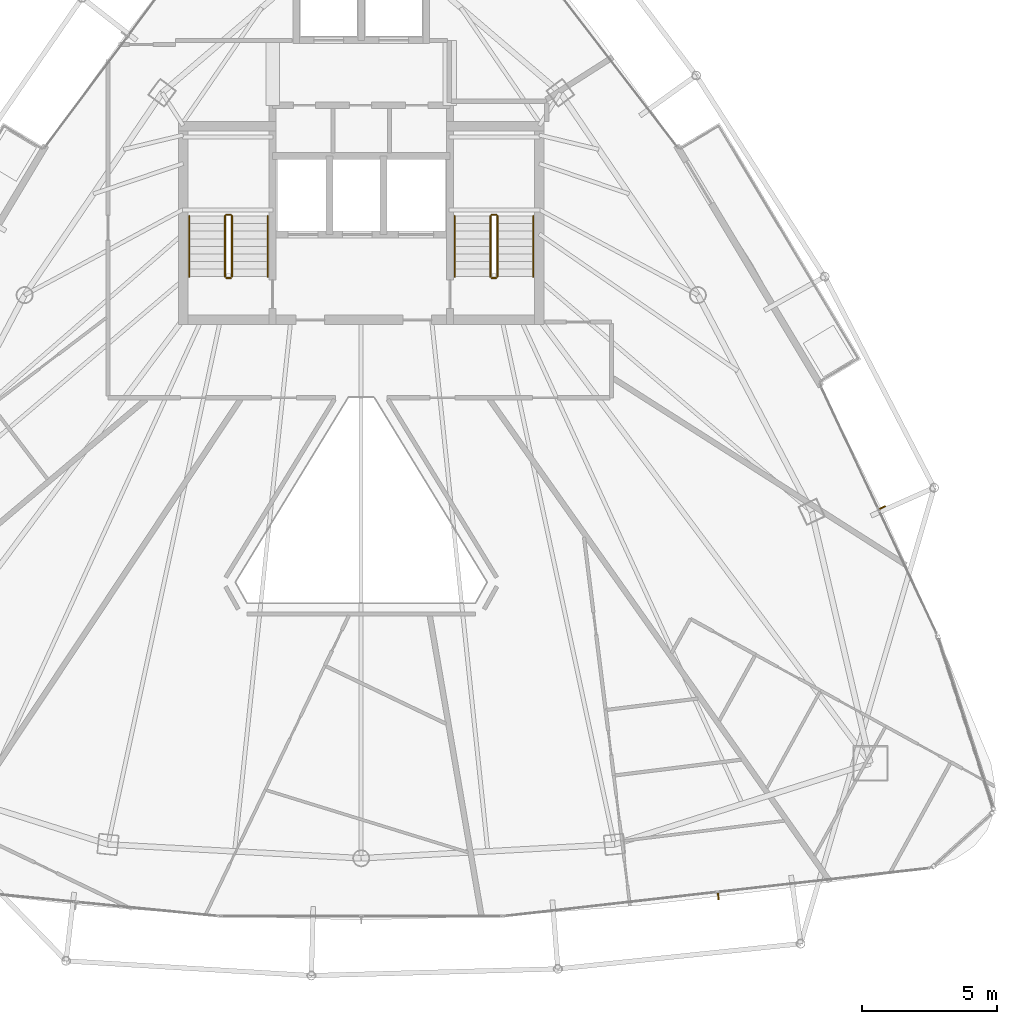
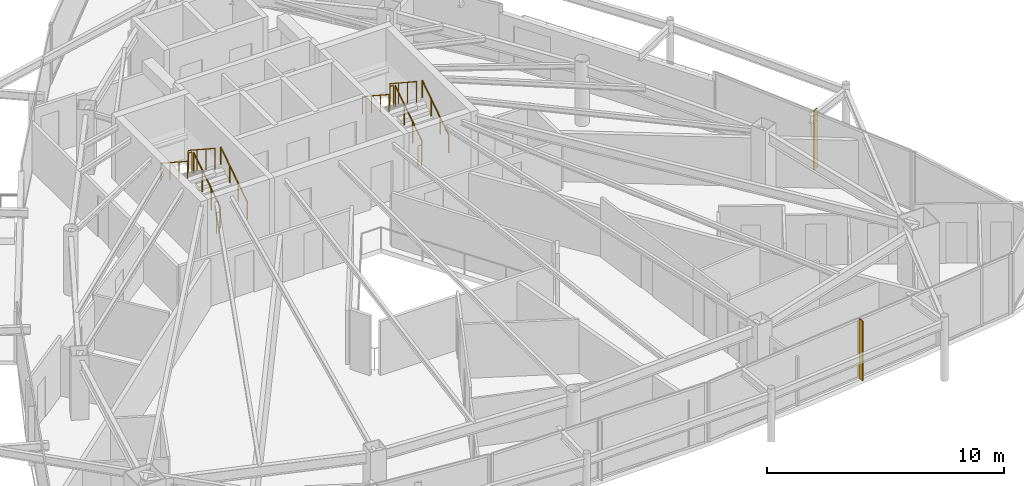
# One storey, part 32 of 33: 12 railings, 2 shading devices.
"""IFC4 building model written with IfcOpenShell, lengths in metres."""

from ifc_helpers import new_model, si_unit, direction, frame, origin, origin_2d, place, context, subcontext, project, spatial, rectangle, circle, extrude, material, layer, layer_set, type_object, element, save


model = new_model("IFC4")

# Units and contexts
model_context = context("Model", 3, precision=1e-05, world=origin(), true_north=direction((0.0, 1.0)))
body_context = subcontext(model_context, "Body", "Model", "MODEL_VIEW")
ifc_project = project(units=[si_unit("LENGTHUNIT", "METRE"), si_unit("AREAUNIT", "SQUARE_METRE"), si_unit("VOLUMEUNIT", "CUBIC_METRE"), si_unit("PLANEANGLEUNIT", "RADIAN"), si_unit("MASSUNIT", "GRAM", prefix="KILO")], contexts=[model_context])

# Site, building, storey
site_placement = place(None, origin())
site = spatial("IfcSite", under=ifc_project, at=site_placement, CompositionType="ELEMENT")
building_placement = place(site_placement, origin())
building = spatial("IfcBuilding", under=site, at=building_placement, Name="Orvanel Arch Residences", CompositionType="ELEMENT")
storey_placement = place(building_placement, frame((0.0, 0.0, 209.60009765625)))
storey = spatial("IfcBuildingStorey", under=building, at=storey_placement, Name="L59", CompositionType="ELEMENT", Elevation=209.60009765625)

# Shading devices
ifc_material_1 = material(Name="Bronze-anodised aluminium AA6063-T6", Category="aluminium")
ifc_layer = layer(ifc_material_1, 0.050048828125)
ifc_layer_set = layer_set([ifc_layer], Name="Bronze-anodised aluminium AA6063-T6")
shading_device_type = type_object("IfcShadingDeviceType", Name="FIN-BRZ-260", PredefinedType="USERDEFINED", material=ifc_layer_set)
for number, where, z_axis, x_axis, name in (
    (1, (46.18505859375, 5.444091796875, -0.000244140625), (0.0, 0.0, 1.0), (0.111468932206, -0.993767919161, 0.0), "L59 Anodised Bronze Mullion FIN 01"),
    (2, (52.241943359375, 19.79296875, -0.000244140625), (0.0, 0.0, 1.0), (0.905568799011, 0.424199422745, 0.0), "L59 Anodised Bronze Mullion FIN 01"),
):
    element("IfcShadingDevice", number, at=place(storey_placement, frame(where, z_axis=z_axis, x_axis=x_axis)), inside=storey, type_object=shading_device_type, Name=name, ObjectType="FIN", PredefinedType="USERDEFINED", context=body_context, shape_type="SweptSolid", body=[
        extrude(rectangle(XDim=0.260009765625, YDim=0.050048828125, at=origin_2d()), origin(), (0.0, 0.0, 1.0), 3.06005859375),
    ])

# Railings
ifc_material_2 = material(Name="Structural steel AS/NZS 1163 C350L0 (Grade 350)", Category="steel")
railing_type_1 = type_object("IfcRailingType", Name="RL-STAIR-GUARD", PredefinedType="GUARDRAIL", material=ifc_material_2)
railing_1_placement = place(storey_placement, frame((28.22998046875, 28.320068359375, 0.183349609375)))
element("IfcRailing", 3, at=railing_1_placement, inside=storey, type_object=railing_type_1, Name="L59 ST-1 stair guard 1", PredefinedType="GUARDRAIL", context=body_context, shape_type="SweptSolid", body=[
    extrude(circle(Radius=0.02392578125, at=origin_2d()), frame((0.0, 0.001220703125, 1.076904296875), z_axis=(0.0, 0.836636935527, 0.547757827979), x_axis=(-1.0, 0.0, 0.0)), (0.0, 0.0, 1.0), 2.67431640625),
    extrude(circle(Radius=0.02099609375, at=origin_2d()), origin(), (0.0, 0.0, 1.0), 1.050048828125),
    extrude(circle(Radius=0.02099609375, at=origin_2d()), frame((0.0, 0.74658203125, 0.48876953125)), (0.0, 0.0, 1.0), 1.050048828125),
    extrude(circle(Radius=0.02099609375, at=origin_2d()), frame((0.0, 1.493408203125, 0.977783203125)), (0.0, 0.0, 1.0), 1.050048828125),
    extrude(circle(Radius=0.02099609375, at=origin_2d()), frame((0.0, 2.239990234375, 1.466552734375)), (0.0, 0.0, 1.0), 1.050048828125),
])
railing_2_placement = place(storey_placement, frame((28.179931640625, 30.610107421875, 1.64990234375)))
element("IfcRailing", 4, at=railing_2_placement, inside=storey, type_object=railing_type_1, Name="L59 ST-1 stair guard 2", PredefinedType="GUARDRAIL", context=body_context, shape_type="SweptSolid", body=[
    extrude(circle(Radius=0.02392578125, at=origin_2d()), frame((-0.00146484375, 0.0, 1.076171875), z_axis=(-1.0, 0.0, 0.0), x_axis=(0.0, -1.0, 0.0)), (0.0, 0.0, 1.0), 0.156982421875),
    extrude(circle(Radius=0.02099609375, at=origin_2d()), origin(), (0.0, 0.0, 1.0), 1.050048828125),
    extrude(circle(Radius=0.02099609375, at=origin_2d()), frame((-0.159912109375, 0.0, 0.0)), (0.0, 0.0, 1.0), 1.050048828125),
])
railing_3_placement = place(storey_placement, frame((27.969970703125, 30.56005859375, 1.833251953125)))
element("IfcRailing", 5, at=railing_3_placement, inside=storey, type_object=railing_type_1, Name="L59 ST-1 stair guard 3", PredefinedType="GUARDRAIL", context=body_context, shape_type="SweptSolid", body=[
    extrude(circle(Radius=0.02392578125, at=origin_2d()), frame((0.0, -0.001220703125, 1.076904296875), z_axis=(0.0, -0.836636935527, 0.547757827979), x_axis=(1.0, 0.0, 0.0)), (0.0, 0.0, 1.0), 2.67431640625),
    extrude(circle(Radius=0.02099609375, at=origin_2d()), origin(), (0.0, 0.0, 1.0), 1.050048828125),
    extrude(circle(Radius=0.02099609375, at=origin_2d()), frame((0.0, -0.74658203125, 0.48876953125)), (0.0, 0.0, 1.0), 1.050048828125),
    extrude(circle(Radius=0.02099609375, at=origin_2d()), frame((0.0, -1.493408203125, 0.977783203125)), (0.0, 0.0, 1.0), 1.050048828125),
    extrude(circle(Radius=0.02099609375, at=origin_2d()), frame((0.0, -2.239990234375, 1.466552734375)), (0.0, 0.0, 1.0), 1.050048828125),
])
railing_4_placement = place(storey_placement, frame((28.179931640625, 28.27001953125, 0.0)))
element("IfcRailing", 6, at=railing_4_placement, inside=storey, type_object=railing_type_1, Name="L59 ST-1 stair guard 4", PredefinedType="GUARDRAIL", context=body_context, shape_type="SweptSolid", body=[
    extrude(circle(Radius=0.02392578125, at=origin_2d()), frame((-0.00146484375, 0.0, 1.076171875), z_axis=(-1.0, 0.0, 0.0), x_axis=(0.0, -1.0, 0.0)), (0.0, 0.0, 1.0), 0.156982421875),
    extrude(circle(Radius=0.02099609375, at=origin_2d()), origin(), (0.0, 0.0, 1.0), 1.050048828125),
    extrude(circle(Radius=0.02099609375, at=origin_2d()), frame((-0.159912109375, 0.0, 0.0)), (0.0, 0.0, 1.0), 1.050048828125),
])
railing_5_placement = place(storey_placement, frame((38.030029296875, 28.320068359375, 0.183349609375)))
element("IfcRailing", 7, at=railing_5_placement, inside=storey, type_object=railing_type_1, Name="L59 ST-2 stair guard 1", PredefinedType="GUARDRAIL", context=body_context, shape_type="SweptSolid", body=[
    extrude(circle(Radius=0.02392578125, at=origin_2d()), frame((0.0, 0.001220703125, 1.076904296875), z_axis=(0.0, 0.836636935527, 0.547757827979), x_axis=(-1.0, 0.0, 0.0)), (0.0, 0.0, 1.0), 2.67431640625),
    extrude(circle(Radius=0.02099609375, at=origin_2d()), origin(), (0.0, 0.0, 1.0), 1.050048828125),
    extrude(circle(Radius=0.02099609375, at=origin_2d()), frame((0.0, 0.74658203125, 0.48876953125)), (0.0, 0.0, 1.0), 1.050048828125),
    extrude(circle(Radius=0.02099609375, at=origin_2d()), frame((0.0, 1.493408203125, 0.977783203125)), (0.0, 0.0, 1.0), 1.050048828125),
    extrude(circle(Radius=0.02099609375, at=origin_2d()), frame((0.0, 2.239990234375, 1.466552734375)), (0.0, 0.0, 1.0), 1.050048828125),
])
railing_6_placement = place(storey_placement, frame((37.97998046875, 30.610107421875, 1.64990234375)))
element("IfcRailing", 8, at=railing_6_placement, inside=storey, type_object=railing_type_1, Name="L59 ST-2 stair guard 2", PredefinedType="GUARDRAIL", context=body_context, shape_type="SweptSolid", body=[
    extrude(circle(Radius=0.02392578125, at=origin_2d()), frame((-0.00146484375, 0.0, 1.076171875), z_axis=(-1.0, 0.0, 0.0), x_axis=(0.0, -1.0, 0.0)), (0.0, 0.0, 1.0), 0.156982421875),
    extrude(circle(Radius=0.02099609375, at=origin_2d()), origin(), (0.0, 0.0, 1.0), 1.050048828125),
    extrude(circle(Radius=0.02099609375, at=origin_2d()), frame((-0.159912109375, 0.0, 0.0)), (0.0, 0.0, 1.0), 1.050048828125),
])
railing_7_placement = place(storey_placement, frame((37.77001953125, 30.56005859375, 1.833251953125)))
element("IfcRailing", 9, at=railing_7_placement, inside=storey, type_object=railing_type_1, Name="L59 ST-2 stair guard 3", PredefinedType="GUARDRAIL", context=body_context, shape_type="SweptSolid", body=[
    extrude(circle(Radius=0.02392578125, at=origin_2d()), frame((0.0, -0.001220703125, 1.076904296875), z_axis=(0.0, -0.836636935527, 0.547757827979), x_axis=(1.0, 0.0, 0.0)), (0.0, 0.0, 1.0), 2.67431640625),
    extrude(circle(Radius=0.02099609375, at=origin_2d()), origin(), (0.0, 0.0, 1.0), 1.050048828125),
    extrude(circle(Radius=0.02099609375, at=origin_2d()), frame((0.0, -0.74658203125, 0.48876953125)), (0.0, 0.0, 1.0), 1.050048828125),
    extrude(circle(Radius=0.02099609375, at=origin_2d()), frame((0.0, -1.493408203125, 0.977783203125)), (0.0, 0.0, 1.0), 1.050048828125),
    extrude(circle(Radius=0.02099609375, at=origin_2d()), frame((0.0, -2.239990234375, 1.466552734375)), (0.0, 0.0, 1.0), 1.050048828125),
])
railing_8_placement = place(storey_placement, frame((37.97998046875, 28.27001953125, 0.0)))
element("IfcRailing", 10, at=railing_8_placement, inside=storey, type_object=railing_type_1, Name="L59 ST-2 stair guard 4", PredefinedType="GUARDRAIL", context=body_context, shape_type="SweptSolid", body=[
    extrude(circle(Radius=0.02392578125, at=origin_2d()), frame((-0.00146484375, 0.0, 1.076171875), z_axis=(-1.0, 0.0, 0.0), x_axis=(0.0, -1.0, 0.0)), (0.0, 0.0, 1.0), 0.156982421875),
    extrude(circle(Radius=0.02099609375, at=origin_2d()), origin(), (0.0, 0.0, 1.0), 1.050048828125),
    extrude(circle(Radius=0.02099609375, at=origin_2d()), frame((-0.159912109375, 0.0, 0.0)), (0.0, 0.0, 1.0), 1.050048828125),
])
railing_type_2 = type_object("IfcRailingType", Name="RL-STAIR-HAND", PredefinedType="HANDRAIL", material=ifc_material_2)
railing_9_placement = place(storey_placement, frame((29.550048828125, 28.320068359375, 0.183349609375)))
element("IfcRailing", 11, at=railing_9_placement, inside=storey, type_object=railing_type_2, Name="L59 ST-1 stair handrail 1", PredefinedType="HANDRAIL", context=body_context, shape_type="SweptSolid", body=[
    extrude(circle(Radius=0.02392578125, at=origin_2d()), frame((0.0, 0.001220703125, 0.876708984375), z_axis=(0.0, 0.836636935527, 0.547757827979), x_axis=(-1.0, 0.0, 0.0)), (0.0, 0.0, 1.0), 2.67431640625),
    extrude(circle(Radius=0.02099609375, at=origin_2d()), origin(), (0.0, 0.0, 1.0), 0.849853515625),
    extrude(circle(Radius=0.02099609375, at=origin_2d()), frame((0.0, 0.74658203125, 0.48876953125)), (0.0, 0.0, 1.0), 0.849853515625),
    extrude(circle(Radius=0.02099609375, at=origin_2d()), frame((0.0, 1.493408203125, 0.977783203125)), (0.0, 0.0, 1.0), 0.849853515625),
    extrude(circle(Radius=0.02099609375, at=origin_2d()), frame((0.0, 2.239990234375, 1.466552734375)), (0.0, 0.0, 1.0), 0.849853515625),
])
railing_10_placement = place(storey_placement, frame((26.64990234375, 30.56005859375, 1.833251953125)))
element("IfcRailing", 12, at=railing_10_placement, inside=storey, type_object=railing_type_2, Name="L59 ST-1 stair handrail 2", PredefinedType="HANDRAIL", context=body_context, shape_type="SweptSolid", body=[
    extrude(circle(Radius=0.02392578125, at=origin_2d()), frame((0.0, -0.001220703125, 0.876708984375), z_axis=(0.0, -0.836636935527, 0.547757827979), x_axis=(1.0, 0.0, 0.0)), (0.0, 0.0, 1.0), 2.67431640625),
    extrude(circle(Radius=0.02099609375, at=origin_2d()), origin(), (0.0, 0.0, 1.0), 0.849853515625),
    extrude(circle(Radius=0.02099609375, at=origin_2d()), frame((0.0, -0.74658203125, 0.48876953125)), (0.0, 0.0, 1.0), 0.849853515625),
    extrude(circle(Radius=0.02099609375, at=origin_2d()), frame((0.0, -1.493408203125, 0.977783203125)), (0.0, 0.0, 1.0), 0.849853515625),
    extrude(circle(Radius=0.02099609375, at=origin_2d()), frame((0.0, -2.239990234375, 1.466552734375)), (0.0, 0.0, 1.0), 0.849853515625),
])
railing_11_placement = place(storey_placement, frame((39.35009765625, 28.320068359375, 0.183349609375)))
element("IfcRailing", 13, at=railing_11_placement, inside=storey, type_object=railing_type_2, Name="L59 ST-2 stair handrail 1", PredefinedType="HANDRAIL", context=body_context, shape_type="SweptSolid", body=[
    extrude(circle(Radius=0.02392578125, at=origin_2d()), frame((0.0, 0.001220703125, 0.876708984375), z_axis=(0.0, 0.836636935527, 0.547757827979), x_axis=(-1.0, 0.0, 0.0)), (0.0, 0.0, 1.0), 2.67431640625),
    extrude(circle(Radius=0.02099609375, at=origin_2d()), origin(), (0.0, 0.0, 1.0), 0.849853515625),
    extrude(circle(Radius=0.02099609375, at=origin_2d()), frame((0.0, 0.74658203125, 0.48876953125)), (0.0, 0.0, 1.0), 0.849853515625),
    extrude(circle(Radius=0.02099609375, at=origin_2d()), frame((0.0, 1.493408203125, 0.977783203125)), (0.0, 0.0, 1.0), 0.849853515625),
    extrude(circle(Radius=0.02099609375, at=origin_2d()), frame((0.0, 2.239990234375, 1.466552734375)), (0.0, 0.0, 1.0), 0.849853515625),
])
railing_12_placement = place(storey_placement, frame((36.449951171875, 30.56005859375, 1.833251953125)))
element("IfcRailing", 14, at=railing_12_placement, inside=storey, type_object=railing_type_2, Name="L59 ST-2 stair handrail 2", PredefinedType="HANDRAIL", context=body_context, shape_type="SweptSolid", body=[
    extrude(circle(Radius=0.02392578125, at=origin_2d()), frame((0.0, -0.001220703125, 0.876708984375), z_axis=(0.0, -0.836636935527, 0.547757827979), x_axis=(1.0, 0.0, 0.0)), (0.0, 0.0, 1.0), 2.67431640625),
    extrude(circle(Radius=0.02099609375, at=origin_2d()), origin(), (0.0, 0.0, 1.0), 0.849853515625),
    extrude(circle(Radius=0.02099609375, at=origin_2d()), frame((0.0, -0.74658203125, 0.48876953125)), (0.0, 0.0, 1.0), 0.849853515625),
    extrude(circle(Radius=0.02099609375, at=origin_2d()), frame((0.0, -1.493408203125, 0.977783203125)), (0.0, 0.0, 1.0), 0.849853515625),
    extrude(circle(Radius=0.02099609375, at=origin_2d()), frame((0.0, -2.239990234375, 1.466552734375)), (0.0, 0.0, 1.0), 0.849853515625),
])

save(model, "model.ifc")
